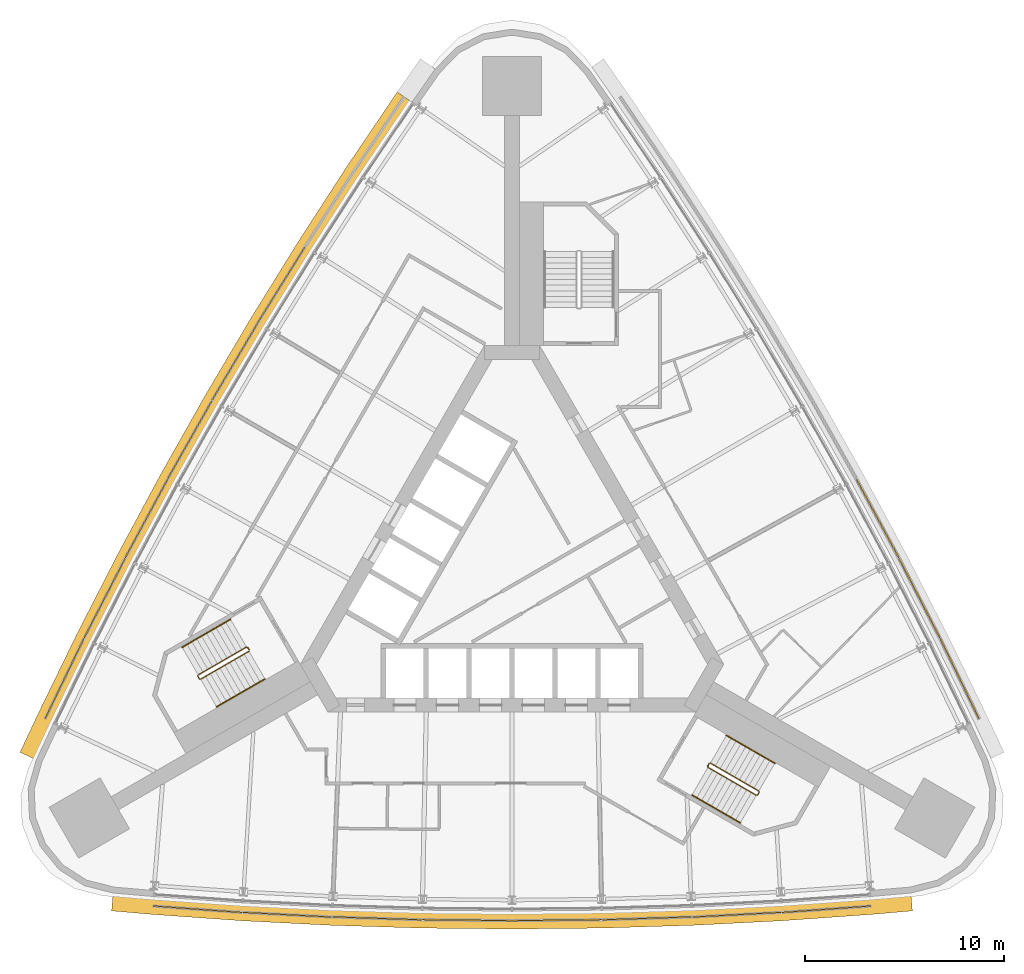
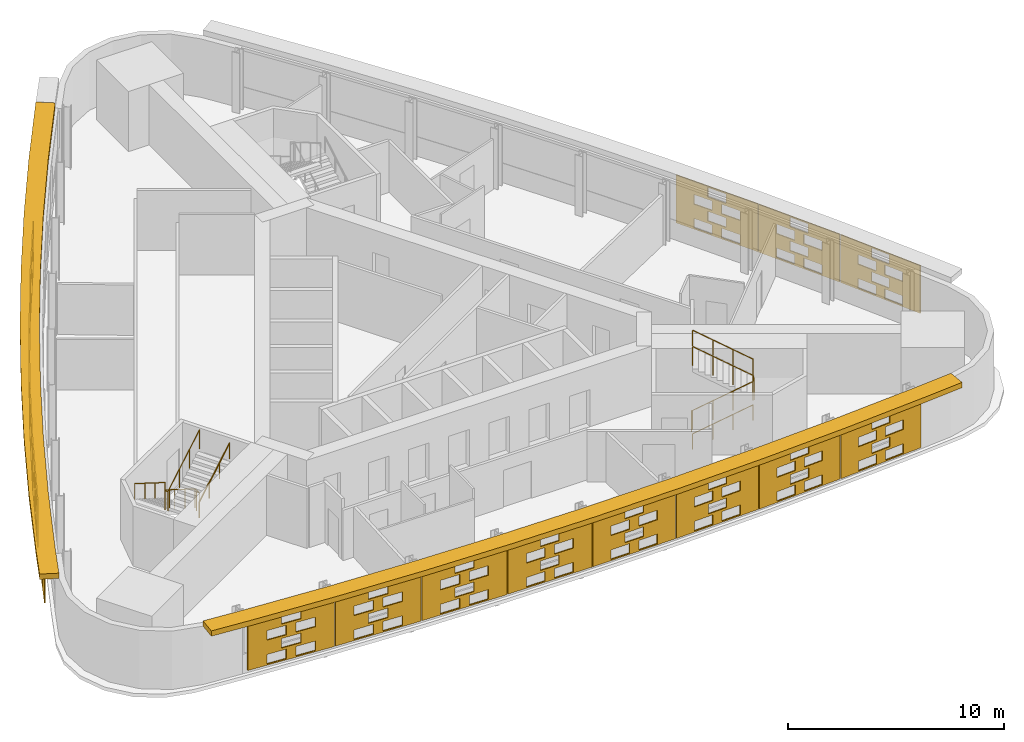
# One storey, part 10 of 11: 19 shading devices, 6 railings.
"""IFC4 building model written with IfcOpenShell, lengths in metres."""

from ifc_helpers import new_model, si_unit, direction, frame, origin, origin_2d, place, context, subcontext, project, spatial, polyline, circle, outline, extrude, material, material_profile, profile_set, type_object, element, save


model = new_model("IFC4")

# Units and contexts
model_context = context("Model", 3, precision=1e-05, world=origin(), true_north=direction((0.0, 1.0)))
body_context = subcontext(model_context, "Body", "Model", "MODEL_VIEW")
ifc_project = project(units=[si_unit("LENGTHUNIT", "METRE"), si_unit("AREAUNIT", "SQUARE_METRE"), si_unit("VOLUMEUNIT", "CUBIC_METRE"), si_unit("PLANEANGLEUNIT", "RADIAN"), si_unit("MASSUNIT", "GRAM", prefix="KILO")], contexts=[model_context])

# Site, building, storey
site_placement = place(None, origin())
site = spatial("IfcSite", under=ifc_project, at=site_placement, CompositionType="ELEMENT")
building_placement = place(site_placement, origin())
building = spatial("IfcBuilding", under=site, at=building_placement, Name="Noor Cloister Tower", CompositionType="ELEMENT")
storey_placement = place(building_placement, frame((0.0, 0.0, 116.699951171875)))
storey = spatial("IfcBuildingStorey", under=building, at=storey_placement, Name="L30", CompositionType="ELEMENT", Elevation=116.699951171875)

# Shading devices
ifc_material_1 = material(Name="Limestone", Category="masonry")
ifc_material_profile = material_profile(ifc_material_1, outline(polyline([(-2.22998046875, -1.35009765625), (2.22998046875, -1.35009765625), (2.22998046875, 1.35009765625), (-2.22998046875, 1.35009765625), (-2.22998046875, -1.35009765625)]), holes=[polyline([(-1.25, -1.282470703125), (-0.25, -1.282470703125), (-0.25, -0.742431640625), (-1.25, -0.742431640625), (-1.25, -1.282470703125)]), polyline([(0.25, -1.282470703125), (1.25, -1.282470703125), (1.25, -0.742431640625), (0.25, -0.742431640625), (0.25, -1.282470703125)]), polyline([(-0.5, -0.607421875), (0.5, -0.607421875), (0.5, -0.0673828125), (-0.5, -0.0673828125), (-0.5, -0.607421875)]), polyline([(-1.25, 0.0673828125), (-0.25, 0.0673828125), (-0.25, 0.607421875), (-1.25, 0.607421875), (-1.25, 0.0673828125)]), polyline([(0.25, 0.0673828125), (1.25, 0.0673828125), (1.25, 0.607421875), (0.25, 0.607421875), (0.25, 0.0673828125)]), polyline([(-0.5, 0.742431640625), (0.5, 0.742431640625), (0.5, 1.282470703125), (-0.5, 1.282470703125), (-0.5, 0.742431640625)])]), Name="Woven screen 30 percent open")
ifc_profile_set = profile_set([ifc_material_profile], Name="Limestone")
shading_device_type_1 = type_object("IfcShadingDeviceType", Name="SCREEN woven limestone 30 percent open", PredefinedType="USERDEFINED", material=ifc_profile_set)
shading_device_1_placement = place(storey_placement, frame((-11.544677734375, 14.4736328125, 1.85009765625), z_axis=(-0.849137590634, 0.528171707093, 0.0), x_axis=(-0.528171707093, -0.849137590634, 0.0)))
element("IfcShadingDevice", 1, at=shading_device_1_placement, inside=storey, type_object=shading_device_type_1, Name="SCREEN L30 3", ObjectType="SCREEN", PredefinedType="USERDEFINED", context=body_context, shape_type="SweptSolid", body=[
    extrude(outline(polyline([(-2.22998046875, -1.35009765625), (2.22998046875, -1.35009765625), (2.22998046875, 1.35009765625), (-2.22998046875, 1.35009765625), (-2.22998046875, -1.35009765625)]), holes=[polyline([(-1.25, -1.282470703125), (-0.25, -1.282470703125), (-0.25, -0.742431640625), (-1.25, -0.742431640625), (-1.25, -1.282470703125)]), polyline([(0.25, -1.282470703125), (1.25, -1.282470703125), (1.25, -0.742431640625), (0.25, -0.742431640625), (0.25, -1.282470703125)]), polyline([(-0.5, -0.607421875), (0.5, -0.607421875), (0.5, -0.0673828125), (-0.5, -0.0673828125), (-0.5, -0.607421875)]), polyline([(-1.25, 0.0673828125), (-0.25, 0.0673828125), (-0.25, 0.607421875), (-1.25, 0.607421875), (-1.25, 0.0673828125)]), polyline([(0.25, 0.0673828125), (1.25, 0.0673828125), (1.25, 0.607421875), (0.25, 0.607421875), (0.25, 0.0673828125)]), polyline([(-0.5, 0.742431640625), (0.5, 0.742431640625), (0.5, 1.282470703125), (-0.5, 1.282470703125), (-0.5, 0.742431640625)])]), origin(), (0.0, 0.0, 1.0), 0.06005859375),
])
shading_device_2_placement = place(storey_placement, frame((-13.8779296875, 10.615478515625, 1.85009765625), z_axis=(-0.860357760281, 0.50969061628, 0.0), x_axis=(-0.50969061628, -0.860357760281, 0.0)))
element("IfcShadingDevice", 2, at=shading_device_2_placement, inside=storey, type_object=shading_device_type_1, Name="SCREEN L30 4", ObjectType="SCREEN", PredefinedType="USERDEFINED", context=body_context, shape_type="SweptSolid", body=[
    extrude(outline(polyline([(-2.22998046875, -1.35009765625), (2.22998046875, -1.35009765625), (2.22998046875, 1.35009765625), (-2.22998046875, 1.35009765625), (-2.22998046875, -1.35009765625)]), holes=[polyline([(-1.25, -1.282470703125), (-0.25, -1.282470703125), (-0.25, -0.742431640625), (-1.25, -0.742431640625), (-1.25, -1.282470703125)]), polyline([(0.25, -1.282470703125), (1.25, -1.282470703125), (1.25, -0.742431640625), (0.25, -0.742431640625), (0.25, -1.282470703125)]), polyline([(-0.5, -0.607421875), (0.5, -0.607421875), (0.5, -0.0673828125), (-0.5, -0.0673828125), (-0.5, -0.607421875)]), polyline([(-1.25, 0.0673828125), (-0.25, 0.0673828125), (-0.25, 0.607421875), (-1.25, 0.607421875), (-1.25, 0.0673828125)]), polyline([(0.25, 0.0673828125), (1.25, 0.0673828125), (1.25, 0.607421875), (0.25, 0.607421875), (0.25, 0.0673828125)]), polyline([(-0.5, 0.742431640625), (0.5, 0.742431640625), (0.5, 1.282470703125), (-0.5, 1.282470703125), (-0.5, 0.742431640625)])]), origin(), (0.0, 0.0, 1.0), 0.059814453125),
])
shading_device_3_placement = place(storey_placement, frame((-16.13232421875, 6.710693359375, 1.85009765625), z_axis=(-0.87048706901, 0.492191286683, 0.0), x_axis=(-0.492191286683, -0.87048706901, 0.0)))
element("IfcShadingDevice", 3, at=shading_device_3_placement, inside=storey, type_object=shading_device_type_1, Name="SCREEN L30 5", ObjectType="SCREEN", PredefinedType="USERDEFINED", context=body_context, shape_type="SweptSolid", body=[
    extrude(outline(polyline([(-2.22998046875, -1.35009765625), (2.22998046875, -1.35009765625), (2.22998046875, 1.35009765625), (-2.22998046875, 1.35009765625), (-2.22998046875, -1.35009765625)]), holes=[polyline([(-1.25, -1.282470703125), (-0.25, -1.282470703125), (-0.25, -0.742431640625), (-1.25, -0.742431640625), (-1.25, -1.282470703125)]), polyline([(0.25, -1.282470703125), (1.25, -1.282470703125), (1.25, -0.742431640625), (0.25, -0.742431640625), (0.25, -1.282470703125)]), polyline([(-0.5, -0.607421875), (0.5, -0.607421875), (0.5, -0.0673828125), (-0.5, -0.0673828125), (-0.5, -0.607421875)]), polyline([(-1.25, 0.0673828125), (-0.25, 0.0673828125), (-0.25, 0.607421875), (-1.25, 0.607421875), (-1.25, 0.0673828125)]), polyline([(0.25, 0.0673828125), (1.25, 0.0673828125), (1.25, 0.607421875), (0.25, 0.607421875), (0.25, 0.0673828125)]), polyline([(-0.5, 0.742431640625), (0.5, 0.742431640625), (0.5, 1.282470703125), (-0.5, 1.282470703125), (-0.5, 0.742431640625)])]), origin(), (0.0, 0.0, 1.0), 0.06005859375),
])
shading_device_4_placement = place(storey_placement, frame((-18.306884765625, 2.760986328125, 1.85009765625), z_axis=(-0.880210472648, 0.474583526727, 0.0), x_axis=(-0.474583526727, -0.880210472648, 0.0)))
element("IfcShadingDevice", 4, at=shading_device_4_placement, inside=storey, type_object=shading_device_type_1, Name="SCREEN L30 6", ObjectType="SCREEN", PredefinedType="USERDEFINED", context=body_context, shape_type="SweptSolid", body=[
    extrude(outline(polyline([(-2.22998046875, -1.35009765625), (2.22998046875, -1.35009765625), (2.22998046875, 1.35009765625), (-2.22998046875, 1.35009765625), (-2.22998046875, -1.35009765625)]), holes=[polyline([(-1.25, -1.282470703125), (-0.25, -1.282470703125), (-0.25, -0.742431640625), (-1.25, -0.742431640625), (-1.25, -1.282470703125)]), polyline([(0.25, -1.282470703125), (1.25, -1.282470703125), (1.25, -0.742431640625), (0.25, -0.742431640625), (0.25, -1.282470703125)]), polyline([(-0.5, -0.607421875), (0.5, -0.607421875), (0.5, -0.0673828125), (-0.5, -0.0673828125), (-0.5, -0.607421875)]), polyline([(-1.25, 0.0673828125), (-0.25, 0.0673828125), (-0.25, 0.607421875), (-1.25, 0.607421875), (-1.25, 0.0673828125)]), polyline([(0.25, 0.0673828125), (1.25, 0.0673828125), (1.25, 0.607421875), (0.25, 0.607421875), (0.25, 0.0673828125)]), polyline([(-0.5, 0.742431640625), (0.5, 0.742431640625), (0.5, 1.282470703125), (-0.5, 1.282470703125), (-0.5, 0.742431640625)])]), origin(), (0.0, 0.0, 1.0), 0.060302734375),
])
shading_device_5_placement = place(storey_placement, frame((-20.401123046875, -1.23193359375, 1.85009765625), z_axis=(-0.88947737876, 0.456979203766, 0.0), x_axis=(-0.456979203766, -0.88947737876, 0.0)))
element("IfcShadingDevice", 5, at=shading_device_5_placement, inside=storey, type_object=shading_device_type_1, Name="SCREEN L30 7", ObjectType="SCREEN", PredefinedType="USERDEFINED", context=body_context, shape_type="SweptSolid", body=[
    extrude(outline(polyline([(-2.22998046875, -1.35009765625), (2.22998046875, -1.35009765625), (2.22998046875, 1.35009765625), (-2.22998046875, 1.35009765625), (-2.22998046875, -1.35009765625)]), holes=[polyline([(-1.25, -1.282470703125), (-0.25, -1.282470703125), (-0.25, -0.742431640625), (-1.25, -0.742431640625), (-1.25, -1.282470703125)]), polyline([(0.25, -1.282470703125), (1.25, -1.282470703125), (1.25, -0.742431640625), (0.25, -0.742431640625), (0.25, -1.282470703125)]), polyline([(-0.5, -0.607421875), (0.5, -0.607421875), (0.5, -0.0673828125), (-0.5, -0.0673828125), (-0.5, -0.607421875)]), polyline([(-1.25, 0.0673828125), (-0.25, 0.0673828125), (-0.25, 0.607421875), (-1.25, 0.607421875), (-1.25, 0.0673828125)]), polyline([(0.25, 0.0673828125), (1.25, 0.0673828125), (1.25, 0.607421875), (0.25, 0.607421875), (0.25, 0.0673828125)]), polyline([(-0.5, 0.742431640625), (0.5, 0.742431640625), (0.5, 1.282470703125), (-0.5, 1.282470703125), (-0.5, 0.742431640625)])]), origin(), (0.0, 0.0, 1.0), 0.059814453125),
])
for number, where, z_axis, x_axis, name in (
    (6, (-22.41357421875, -5.2666015625, 1.85009765625), (-0.900056208046, 0.435773820185, 0.0), (-0.435773820185, -0.900056208046, 0.0), "SCREEN L30 8"),
    (7, (-15.767822265625, -16.777587890625, 1.85009765625), (-0.073271902152, -0.99731200151, 0.0), (0.99731200151, -0.073271902152, 0.0), "SCREEN L30 1"),
    (8, (-11.267333984375, -17.0517578125, 1.85009765625), (-0.052771893118, -0.998606592857, 0.0), (0.998606592857, -0.052771893118, 0.0), "SCREEN L30 2"),
):
    element("IfcShadingDevice", number, at=place(storey_placement, frame(where, z_axis=z_axis, x_axis=x_axis)), inside=storey, type_object=shading_device_type_1, Name=name, ObjectType="SCREEN", PredefinedType="USERDEFINED", context=body_context, shape_type="SweptSolid", body=[
        extrude(outline(polyline([(-2.22998046875, -1.35009765625), (2.22998046875, -1.35009765625), (2.22998046875, 1.35009765625), (-2.22998046875, 1.35009765625), (-2.22998046875, -1.35009765625)]), holes=[polyline([(-1.25, -1.282470703125), (-0.25, -1.282470703125), (-0.25, -0.742431640625), (-1.25, -0.742431640625), (-1.25, -1.282470703125)]), polyline([(0.25, -1.282470703125), (1.25, -1.282470703125), (1.25, -0.742431640625), (0.25, -0.742431640625), (0.25, -1.282470703125)]), polyline([(-0.5, -0.607421875), (0.5, -0.607421875), (0.5, -0.0673828125), (-0.5, -0.0673828125), (-0.5, -0.607421875)]), polyline([(-1.25, 0.0673828125), (-0.25, 0.0673828125), (-0.25, 0.607421875), (-1.25, 0.607421875), (-1.25, 0.0673828125)]), polyline([(0.25, 0.0673828125), (1.25, 0.0673828125), (1.25, 0.607421875), (0.25, 0.607421875), (0.25, 0.0673828125)]), polyline([(-0.5, 0.742431640625), (0.5, 0.742431640625), (0.5, 1.282470703125), (-0.5, 1.282470703125), (-0.5, 0.742431640625)])]), origin(), (0.0, 0.0, 1.0), 0.06005859375),
    ])
for number, where, z_axis, x_axis, name in (
    (9, (-6.76220703125, -17.23486328125, 1.85009765625), (-0.03263566742, -0.999467314729, 0.0), (0.999467314729, -0.03263566742, 0.0), "SCREEN L30 3"),
    (10, (-2.25439453125, -17.326416015625, 1.85009765625), (-0.012243980078, -0.999925039666, 0.0), (0.999925039666, -0.012243980078, 0.0), "SCREEN L30 4"),
    (11, (2.25439453125, -17.326416015625, 1.85009765625), (0.012243980078, -0.999925039666, 0.0), (0.999925039666, 0.012243980078, 0.0), "SCREEN L30 5"),
    (12, (6.76220703125, -17.23486328125, 1.85009765625), (0.03263566742, -0.999467314729, 0.0), (0.999467314729, 0.03263566742, 0.0), "SCREEN L30 6"),
):
    element("IfcShadingDevice", number, at=place(storey_placement, frame(where, z_axis=z_axis, x_axis=x_axis)), inside=storey, type_object=shading_device_type_1, Name=name, ObjectType="SCREEN", PredefinedType="USERDEFINED", context=body_context, shape_type="SweptSolid", body=[
        extrude(outline(polyline([(-2.22998046875, -1.35009765625), (2.22998046875, -1.35009765625), (2.22998046875, 1.35009765625), (-2.22998046875, 1.35009765625), (-2.22998046875, -1.35009765625)]), holes=[polyline([(-1.25, -1.282470703125), (-0.25, -1.282470703125), (-0.25, -0.742431640625), (-1.25, -0.742431640625), (-1.25, -1.282470703125)]), polyline([(0.25, -1.282470703125), (1.25, -1.282470703125), (1.25, -0.742431640625), (0.25, -0.742431640625), (0.25, -1.282470703125)]), polyline([(-0.5, -0.607421875), (0.5, -0.607421875), (0.5, -0.0673828125), (-0.5, -0.0673828125), (-0.5, -0.607421875)]), polyline([(-1.25, 0.0673828125), (-0.25, 0.0673828125), (-0.25, 0.607421875), (-1.25, 0.607421875), (-1.25, 0.0673828125)]), polyline([(0.25, 0.0673828125), (1.25, 0.0673828125), (1.25, 0.607421875), (0.25, 0.607421875), (0.25, 0.0673828125)]), polyline([(-0.5, 0.742431640625), (0.5, 0.742431640625), (0.5, 1.282470703125), (-0.5, 1.282470703125), (-0.5, 0.742431640625)])]), origin(), (0.0, 0.0, 1.0), 0.059814453125),
    ])
for number, where, z_axis, x_axis, name in (
    (13, (11.267333984375, -17.0517578125, 1.85009765625), (0.052771893118, -0.998606592857, 0.0), (0.998606592857, 0.052771893118, 0.0), "SCREEN L30 7"),
    (14, (15.767822265625, -16.777587890625, 1.85009765625), (0.073271902152, -0.99731200151, 0.0), (0.99731200151, 0.073271902152, 0.0), "SCREEN L30 8"),
    (15, (22.41357421875, -5.2666015625, 1.85009765625), (0.900056208046, 0.435773820185, 0.0), (-0.435773820185, 0.900056208046, 0.0), "SCREEN L30 1"),
):
    element("IfcShadingDevice", number, at=place(storey_placement, frame(where, z_axis=z_axis, x_axis=x_axis)), inside=storey, type_object=shading_device_type_1, Name=name, ObjectType="SCREEN", PredefinedType="USERDEFINED", context=body_context, shape_type="SweptSolid", body=[
        extrude(outline(polyline([(-2.22998046875, -1.35009765625), (2.22998046875, -1.35009765625), (2.22998046875, 1.35009765625), (-2.22998046875, 1.35009765625), (-2.22998046875, -1.35009765625)]), holes=[polyline([(-1.25, -1.282470703125), (-0.25, -1.282470703125), (-0.25, -0.742431640625), (-1.25, -0.742431640625), (-1.25, -1.282470703125)]), polyline([(0.25, -1.282470703125), (1.25, -1.282470703125), (1.25, -0.742431640625), (0.25, -0.742431640625), (0.25, -1.282470703125)]), polyline([(-0.5, -0.607421875), (0.5, -0.607421875), (0.5, -0.0673828125), (-0.5, -0.0673828125), (-0.5, -0.607421875)]), polyline([(-1.25, 0.0673828125), (-0.25, 0.0673828125), (-0.25, 0.607421875), (-1.25, 0.607421875), (-1.25, 0.0673828125)]), polyline([(0.25, 0.0673828125), (1.25, 0.0673828125), (1.25, 0.607421875), (0.25, 0.607421875), (0.25, 0.0673828125)]), polyline([(-0.5, 0.742431640625), (0.5, 0.742431640625), (0.5, 1.282470703125), (-0.5, 1.282470703125), (-0.5, 0.742431640625)])]), origin(), (0.0, 0.0, 1.0), 0.06005859375),
    ])
shading_device_6_placement = place(storey_placement, frame((20.401123046875, -1.23193359375, 1.85009765625), z_axis=(0.88947737876, 0.456979203766, 0.0), x_axis=(-0.456979203766, 0.88947737876, 0.0)))
element("IfcShadingDevice", 16, at=shading_device_6_placement, inside=storey, type_object=shading_device_type_1, Name="SCREEN L30 2", ObjectType="SCREEN", PredefinedType="USERDEFINED", context=body_context, shape_type="SweptSolid", body=[
    extrude(outline(polyline([(-2.22998046875, -1.35009765625), (2.22998046875, -1.35009765625), (2.22998046875, 1.35009765625), (-2.22998046875, 1.35009765625), (-2.22998046875, -1.35009765625)]), holes=[polyline([(-1.25, -1.282470703125), (-0.25, -1.282470703125), (-0.25, -0.742431640625), (-1.25, -0.742431640625), (-1.25, -1.282470703125)]), polyline([(0.25, -1.282470703125), (1.25, -1.282470703125), (1.25, -0.742431640625), (0.25, -0.742431640625), (0.25, -1.282470703125)]), polyline([(-0.5, -0.607421875), (0.5, -0.607421875), (0.5, -0.0673828125), (-0.5, -0.0673828125), (-0.5, -0.607421875)]), polyline([(-1.25, 0.0673828125), (-0.25, 0.0673828125), (-0.25, 0.607421875), (-1.25, 0.607421875), (-1.25, 0.0673828125)]), polyline([(0.25, 0.0673828125), (1.25, 0.0673828125), (1.25, 0.607421875), (0.25, 0.607421875), (0.25, 0.0673828125)]), polyline([(-0.5, 0.742431640625), (0.5, 0.742431640625), (0.5, 1.282470703125), (-0.5, 1.282470703125), (-0.5, 0.742431640625)])]), origin(), (0.0, 0.0, 1.0), 0.059814453125),
])
shading_device_7_placement = place(storey_placement, frame((18.306884765625, 2.760986328125, 1.85009765625), z_axis=(0.880210472648, 0.474583526727, 0.0), x_axis=(-0.474583526727, 0.880210472648, 0.0)))
element("IfcShadingDevice", 17, at=shading_device_7_placement, inside=storey, type_object=shading_device_type_1, Name="SCREEN L30 3", ObjectType="SCREEN", PredefinedType="USERDEFINED", context=body_context, shape_type="SweptSolid", body=[
    extrude(outline(polyline([(-2.22998046875, -1.35009765625), (2.22998046875, -1.35009765625), (2.22998046875, 1.35009765625), (-2.22998046875, 1.35009765625), (-2.22998046875, -1.35009765625)]), holes=[polyline([(-1.25, -1.282470703125), (-0.25, -1.282470703125), (-0.25, -0.742431640625), (-1.25, -0.742431640625), (-1.25, -1.282470703125)]), polyline([(0.25, -1.282470703125), (1.25, -1.282470703125), (1.25, -0.742431640625), (0.25, -0.742431640625), (0.25, -1.282470703125)]), polyline([(-0.5, -0.607421875), (0.5, -0.607421875), (0.5, -0.0673828125), (-0.5, -0.0673828125), (-0.5, -0.607421875)]), polyline([(-1.25, 0.0673828125), (-0.25, 0.0673828125), (-0.25, 0.607421875), (-1.25, 0.607421875), (-1.25, 0.0673828125)]), polyline([(0.25, 0.0673828125), (1.25, 0.0673828125), (1.25, 0.607421875), (0.25, 0.607421875), (0.25, 0.0673828125)]), polyline([(-0.5, 0.742431640625), (0.5, 0.742431640625), (0.5, 1.282470703125), (-0.5, 1.282470703125), (-0.5, 0.742431640625)])]), origin(), (0.0, 0.0, 1.0), 0.060302734375),
])
ifc_material_2 = material(Name="Limestone", Category="masonry")
shading_device_type_2 = type_object("IfcShadingDeviceType", Name="SUNSHADE limestone band 900", PredefinedType="USERDEFINED", material=ifc_material_2)
shading_device_8_placement = place(storey_placement, frame((0.0, 0.0, 3.300048828125)))
element("IfcShadingDevice", 18, at=shading_device_8_placement, inside=storey, type_object=shading_device_type_2, Name="SUNSHADE L30 1", ObjectType="SUNSHADE", PredefinedType="USERDEFINED", context=body_context, shape_type="SweptSolid", body=[
    extrude(outline(polyline([(-5.758056640625, 24.159912109375), (-8.2841796875, 20.4248046875), (-10.73876953125, 16.631591796875), (-13.115966796875, 12.789306640625), (-15.41455078125, 8.899658203125), (-17.6337890625, 4.964111328125), (-19.772705078125, 0.984130859375), (-21.83056640625, -3.0380859375), (-23.80517578125, -7.099365234375), (-24.666748046875, -8.93994140625), (-23.851806640625, -9.321533203125), (-22.992919921875, -7.48681640625), (-21.025146484375, -3.43994140625), (-18.9755859375, 0.566162109375), (-16.845458984375, 4.52978515625), (-14.635009765625, 8.449462890625), (-12.345703125, 12.323486328125), (-9.978271484375, 16.150390625), (-7.533447265625, 19.92822265625), (-5.0126953125, 23.65576171875), (-5.758056640625, 24.159912109375)])), origin(), (0.0, 0.0, 1.0), 0.300048828125),
])
shading_device_9_placement = place(storey_placement, frame((0.0, 0.0, 3.300048828125)))
element("IfcShadingDevice", 19, at=shading_device_9_placement, inside=storey, type_object=shading_device_type_2, Name="SUNSHADE L30 2", ObjectType="SUNSHADE", PredefinedType="USERDEFINED", context=body_context, shape_type="SweptSolid", body=[
    extrude(outline(polyline([(-20.07568359375, -16.89208984375), (-18.05078125, -17.066162109375), (-13.54638671875, -17.38671875), (-9.033935546875, -17.61572265625), (-4.51806640625, -17.75341796875), (0.0, -17.79931640625), (4.51806640625, -17.75341796875), (9.033935546875, -17.61572265625), (13.54638671875, -17.38671875), (18.05078125, -17.066162109375), (20.07568359375, -16.89208984375), (19.99853515625, -15.995361328125), (17.980224609375, -16.1689453125), (13.49169921875, -16.48828125), (8.99755859375, -16.716552734375), (4.499755859375, -16.853515625), (0.0, -16.899169921875), (-4.499755859375, -16.853515625), (-8.99755859375, -16.716552734375), (-13.49169921875, -16.48828125), (-17.980224609375, -16.1689453125), (-19.99853515625, -15.995361328125), (-20.07568359375, -16.89208984375)])), origin(), (0.0, 0.0, 1.0), 0.300048828125),
])

# Railings
ifc_material_3 = material(Name="Stainless steel", Category="steel")
railing_type_1 = type_object("IfcRailingType", Name="Stair guard 1100", PredefinedType="GUARDRAIL", material=ifc_material_3)
railing_1_placement = place(storey_placement, frame((-13.241455078125, -3.677734375, 0.0)))
element("IfcRailing", 20, at=railing_1_placement, inside=storey, type_object=railing_type_1, Name="Stair guard ST2 L30", PredefinedType="GUARDRAIL", context=body_context, shape_type="SweptSolid", body=[
    extrude(circle(Radius=0.02392578125, at=origin_2d()), frame((0.0, 0.0, 1.076171875), z_axis=(0.499112439033, -0.866537231285, 0.0), x_axis=(0.866537231285, 0.499112439033, 0.0)), (0.0, 0.0, 1.0), 0.150146484375),
    extrude(circle(Radius=0.02392578125, at=origin_2d()), frame((0.074951171875, -0.130126953125, 1.076171875), z_axis=(-0.544565797804, 0.563119998752, 0.621565731736), x_axis=(-0.718850276695, -0.695164929852, 0.0)), (0.0, 0.0, 1.0), 0.26318359375),
    extrude(circle(Radius=0.02392578125, at=origin_2d()), frame((-0.068359375, 0.01806640625, 1.23974609375), z_axis=(-0.747689811644, -0.431660630283, 0.504607813879), x_axis=(0.49998411664, -0.866034573852, 0.0)), (0.0, 0.0, 1.0), 3.2431640625),
    extrude(circle(Radius=0.02392578125, at=origin_2d()), frame((-2.4931640625, -1.3818359375, 2.8759765625), z_axis=(-0.258736085224, -0.965948051503, 0.0), x_axis=(0.965948051503, -0.258736085224, 0.0)), (0.0, 0.0, 1.0), 0.07080078125),
    extrude(circle(Radius=0.02392578125, at=origin_2d()), frame((-2.511474609375, -1.4501953125, 2.8759765625), z_axis=(0.499816412211, -0.866131372301, 0.0), x_axis=(0.866131372301, 0.499816412211, 0.0)), (0.0, 0.0, 1.0), 0.14990234375),
    extrude(circle(Radius=0.02392578125, at=origin_2d()), frame((-2.4365234375, -1.580078125, 2.8759765625), z_axis=(0.383552647116, -0.102737316192, 0.917786691313), x_axis=(0.258736085224, 0.965948051503, 0.0)), (0.0, 0.0, 1.0), 0.17822265625),
    extrude(circle(Radius=0.02392578125, at=origin_2d()), frame((-2.3681640625, -1.598388671875, 3.03955078125), z_axis=(0.747665513933, 0.431721881032, 0.504591415616), x_axis=(-0.500049511043, 0.865996816683, 0.0)), (0.0, 0.0, 1.0), 3.2431640625),
    extrude(circle(Radius=0.02099609375, at=origin_2d()), origin(), (0.0, 0.0, 1.0), 1.052001953125),
    extrude(circle(Radius=0.02099609375, at=origin_2d()), frame((0.074951171875, -0.130126953125, 0.0)), (0.0, 0.0, 1.0), 1.052001953125),
    extrude(circle(Radius=0.02099609375, at=origin_2d()), frame((-0.068359375, 0.01806640625, 0.16357421875)), (0.0, 0.0, 1.0), 1.052001953125),
    extrude(circle(Radius=0.02099609375, at=origin_2d()), frame((-0.876708984375, -0.448486328125, 0.708984375)), (0.0, 0.0, 1.0), 1.052001953125),
    extrude(circle(Radius=0.02099609375, at=origin_2d()), frame((-1.684814453125, -0.915283203125, 1.254638671875)), (0.0, 0.0, 1.0), 1.052001953125),
    extrude(circle(Radius=0.02099609375, at=origin_2d()), frame((-2.4931640625, -1.3818359375, 1.800048828125)), (0.0, 0.0, 1.0), 1.052001953125),
    extrude(circle(Radius=0.02099609375, at=origin_2d()), frame((-2.511474609375, -1.4501953125, 1.800048828125)), (0.0, 0.0, 1.0), 1.052001953125),
    extrude(circle(Radius=0.02099609375, at=origin_2d()), frame((-2.4365234375, -1.580078125, 1.800048828125)), (0.0, 0.0, 1.0), 1.052001953125),
    extrude(circle(Radius=0.02099609375, at=origin_2d()), frame((-2.3681640625, -1.598388671875, 1.963623046875)), (0.0, 0.0, 1.0), 1.052001953125),
    extrude(circle(Radius=0.02099609375, at=origin_2d()), frame((-1.559814453125, -1.131591796875, 2.509033203125)), (0.0, 0.0, 1.0), 1.052001953125),
    extrude(circle(Radius=0.02099609375, at=origin_2d()), frame((-0.751708984375, -0.6650390625, 3.0546875)), (0.0, 0.0, 1.0), 1.052001953125),
    extrude(circle(Radius=0.02099609375, at=origin_2d()), frame((0.056640625, -0.1982421875, 3.60009765625)), (0.0, 0.0, 1.0), 1.052001953125),
])
railing_2_placement = place(storey_placement, frame((9.805908203125, -9.628662109375, 0.0)))
element("IfcRailing", 21, at=railing_2_placement, inside=storey, type_object=railing_type_1, Name="Stair guard ST3 L30", PredefinedType="GUARDRAIL", context=body_context, shape_type="SweptSolid", body=[
    extrude(circle(Radius=0.02392578125, at=origin_2d()), frame((0.0, 0.0, 1.076171875), z_axis=(0.499112439033, 0.866537231285, 0.0), x_axis=(-0.866537231285, 0.499112439033, 0.0)), (0.0, 0.0, 1.0), 0.150146484375),
    extrude(circle(Radius=0.02392578125, at=origin_2d()), frame((0.074951171875, 0.130126953125, 1.076171875), z_axis=(-0.215214839654, -0.753251938789, 0.621525614518), x_axis=(0.961523947641, -0.274721127897, 0.0)), (0.0, 0.0, 1.0), 0.26318359375),
    extrude(circle(Radius=0.02392578125, at=origin_2d()), frame((0.018310546875, -0.068115234375, 1.23974609375), z_axis=(0.747665513933, -0.431721881032, 0.504591415616), x_axis=(0.500049511043, 0.865996816683, 0.0)), (0.0, 0.0, 1.0), 3.2431640625),
    extrude(circle(Radius=0.02392578125, at=origin_2d()), frame((2.443115234375, -1.46826171875, 2.8759765625), z_axis=(0.965948051503, 0.258736085224, 0.0), x_axis=(-0.258736085224, 0.965948051503, 0.0)), (0.0, 0.0, 1.0), 0.07080078125),
    extrude(circle(Radius=0.02392578125, at=origin_2d()), frame((2.511474609375, -1.449951171875, 2.8759765625), z_axis=(0.499816412211, 0.866131372301, 0.0), x_axis=(-0.866131372301, 0.499816412211, 0.0)), (0.0, 0.0, 1.0), 0.14990234375),
    extrude(circle(Radius=0.02392578125, at=origin_2d()), frame((2.58642578125, -1.320068359375, 2.8759765625), z_axis=(-0.102737316192, 0.383552647116, 0.917786691313), x_axis=(-0.965948051503, -0.258736085224, 0.0)), (0.0, 0.0, 1.0), 0.17822265625),
    extrude(circle(Radius=0.02392578125, at=origin_2d()), frame((2.568115234375, -1.251708984375, 3.03955078125), z_axis=(-0.747689811644, 0.431660630283, 0.504607813879), x_axis=(-0.49998411664, -0.866034573852, 0.0)), (0.0, 0.0, 1.0), 3.2431640625),
    extrude(circle(Radius=0.02099609375, at=origin_2d()), origin(), (0.0, 0.0, 1.0), 1.052001953125),
    extrude(circle(Radius=0.02099609375, at=origin_2d()), frame((0.074951171875, 0.130126953125, 0.0)), (0.0, 0.0, 1.0), 1.052001953125),
    extrude(circle(Radius=0.02099609375, at=origin_2d()), frame((0.018310546875, -0.068115234375, 0.16357421875)), (0.0, 0.0, 1.0), 1.052001953125),
    extrude(circle(Radius=0.02099609375, at=origin_2d()), frame((0.82666015625, -0.534912109375, 0.708984375)), (0.0, 0.0, 1.0), 1.052001953125),
    extrude(circle(Radius=0.02099609375, at=origin_2d()), frame((1.634765625, -1.00146484375, 1.254638671875)), (0.0, 0.0, 1.0), 1.052001953125),
    extrude(circle(Radius=0.02099609375, at=origin_2d()), frame((2.443115234375, -1.46826171875, 1.800048828125)), (0.0, 0.0, 1.0), 1.052001953125),
    extrude(circle(Radius=0.02099609375, at=origin_2d()), frame((2.511474609375, -1.449951171875, 1.800048828125)), (0.0, 0.0, 1.0), 1.052001953125),
    extrude(circle(Radius=0.02099609375, at=origin_2d()), frame((2.58642578125, -1.320068359375, 1.800048828125)), (0.0, 0.0, 1.0), 1.052001953125),
    extrude(circle(Radius=0.02099609375, at=origin_2d()), frame((2.568115234375, -1.251708984375, 1.963623046875)), (0.0, 0.0, 1.0), 1.052001953125),
    extrude(circle(Radius=0.02099609375, at=origin_2d()), frame((1.759765625, -0.78515625, 2.509033203125)), (0.0, 0.0, 1.0), 1.052001953125),
    extrude(circle(Radius=0.02099609375, at=origin_2d()), frame((0.95166015625, -0.318359375, 3.0546875)), (0.0, 0.0, 1.0), 1.052001953125),
    extrude(circle(Radius=0.02099609375, at=origin_2d()), frame((0.143310546875, 0.148193359375, 3.60009765625)), (0.0, 0.0, 1.0), 1.052001953125),
])
ifc_material_4 = material(Name="Stainless steel", Category="steel")
railing_type_2 = type_object("IfcRailingType", Name="Stair handrail 900", PredefinedType="HANDRAIL", material=ifc_material_4)
railing_3_placement = place(storey_placement, frame((-14.10986328125, -2.27392578125, 0.16357421875)))
element("IfcRailing", 22, at=railing_3_placement, inside=storey, type_object=railing_type_2, Name="Stair handrail ST2 L30 1", PredefinedType="HANDRAIL", context=body_context, shape_type="SweptSolid", body=[
    extrude(circle(Radius=0.02392578125, at=origin_2d()), frame((0.0, 0.0, 0.8759765625), z_axis=(-0.747689811644, -0.431660630283, 0.504607813879), x_axis=(0.49998411664, -0.866034573852, 0.0)), (0.0, 0.0, 1.0), 3.2431640625),
    extrude(circle(Radius=0.02099609375, at=origin_2d()), origin(), (0.0, 0.0, 1.0), 0.851806640625),
    extrude(circle(Radius=0.02099609375, at=origin_2d()), frame((-0.808349609375, -0.466552734375, 0.54541015625)), (0.0, 0.0, 1.0), 0.851806640625),
    extrude(circle(Radius=0.02099609375, at=origin_2d()), frame((-1.616455078125, -0.933349609375, 1.091064453125)), (0.0, 0.0, 1.0), 0.851806640625),
    extrude(circle(Radius=0.02099609375, at=origin_2d()), frame((-2.4248046875, -1.39990234375, 1.636474609375)), (0.0, 0.0, 1.0), 0.851806640625),
])
railing_4_placement = place(storey_placement, frame((-14.8095703125, -6.66162109375, 1.963623046875)))
element("IfcRailing", 23, at=railing_4_placement, inside=storey, type_object=railing_type_2, Name="Stair handrail ST2 L30 2", PredefinedType="HANDRAIL", context=body_context, shape_type="SweptSolid", body=[
    extrude(circle(Radius=0.02392578125, at=origin_2d()), frame((0.0, 0.0, 0.8759765625), z_axis=(0.747689811644, 0.431660630283, 0.504607813879), x_axis=(-0.49998411664, 0.866034573852, 0.0)), (0.0, 0.0, 1.0), 3.2431640625),
    extrude(circle(Radius=0.02099609375, at=origin_2d()), origin(), (0.0, 0.0, 1.0), 0.851806640625),
    extrude(circle(Radius=0.02099609375, at=origin_2d()), frame((0.808349609375, 0.466552734375, 0.54541015625)), (0.0, 0.0, 1.0), 0.851806640625),
    extrude(circle(Radius=0.02099609375, at=origin_2d()), frame((1.616455078125, 0.933349609375, 1.091064453125)), (0.0, 0.0, 1.0), 0.851806640625),
    extrude(circle(Radius=0.02099609375, at=origin_2d()), frame((2.4248046875, 1.39990234375, 1.636474609375)), (0.0, 0.0, 1.0), 0.851806640625),
])
railing_5_placement = place(storey_placement, frame((9.024169921875, -11.08251953125, 0.16357421875)))
element("IfcRailing", 24, at=railing_5_placement, inside=storey, type_object=railing_type_2, Name="Stair handrail ST3 L30 1", PredefinedType="HANDRAIL", context=body_context, shape_type="SweptSolid", body=[
    extrude(circle(Radius=0.02392578125, at=origin_2d()), frame((0.0, 0.0, 0.8759765625), z_axis=(0.747689811644, -0.431660630283, 0.504607813879), x_axis=(0.49998411664, 0.866034573852, 0.0)), (0.0, 0.0, 1.0), 3.2431640625),
    extrude(circle(Radius=0.02099609375, at=origin_2d()), origin(), (0.0, 0.0, 1.0), 0.851806640625),
    extrude(circle(Radius=0.02099609375, at=origin_2d()), frame((0.808349609375, -0.466552734375, 0.54541015625)), (0.0, 0.0, 1.0), 0.851806640625),
    extrude(circle(Radius=0.02099609375, at=origin_2d()), frame((1.616455078125, -0.933349609375, 1.091064453125)), (0.0, 0.0, 1.0), 0.851806640625),
    extrude(circle(Radius=0.02099609375, at=origin_2d()), frame((2.4248046875, -1.39990234375, 1.636474609375)), (0.0, 0.0, 1.0), 0.851806640625),
])
railing_6_placement = place(storey_placement, frame((13.174072265625, -9.49462890625, 1.963623046875)))
element("IfcRailing", 25, at=railing_6_placement, inside=storey, type_object=railing_type_2, Name="Stair handrail ST3 L30 2", PredefinedType="HANDRAIL", context=body_context, shape_type="SweptSolid", body=[
    extrude(circle(Radius=0.02392578125, at=origin_2d()), frame((0.0, 0.0, 0.8759765625), z_axis=(-0.747689811644, 0.431660630283, 0.504607813879), x_axis=(-0.49998411664, -0.866034573852, 0.0)), (0.0, 0.0, 1.0), 3.2431640625),
    extrude(circle(Radius=0.02099609375, at=origin_2d()), origin(), (0.0, 0.0, 1.0), 0.851806640625),
    extrude(circle(Radius=0.02099609375, at=origin_2d()), frame((-0.808349609375, 0.466552734375, 0.54541015625)), (0.0, 0.0, 1.0), 0.851806640625),
    extrude(circle(Radius=0.02099609375, at=origin_2d()), frame((-1.616455078125, 0.933349609375, 1.091064453125)), (0.0, 0.0, 1.0), 0.851806640625),
    extrude(circle(Radius=0.02099609375, at=origin_2d()), frame((-2.4248046875, 1.39990234375, 1.636474609375)), (0.0, 0.0, 1.0), 0.851806640625),
])

save(model, "model.ifc")
